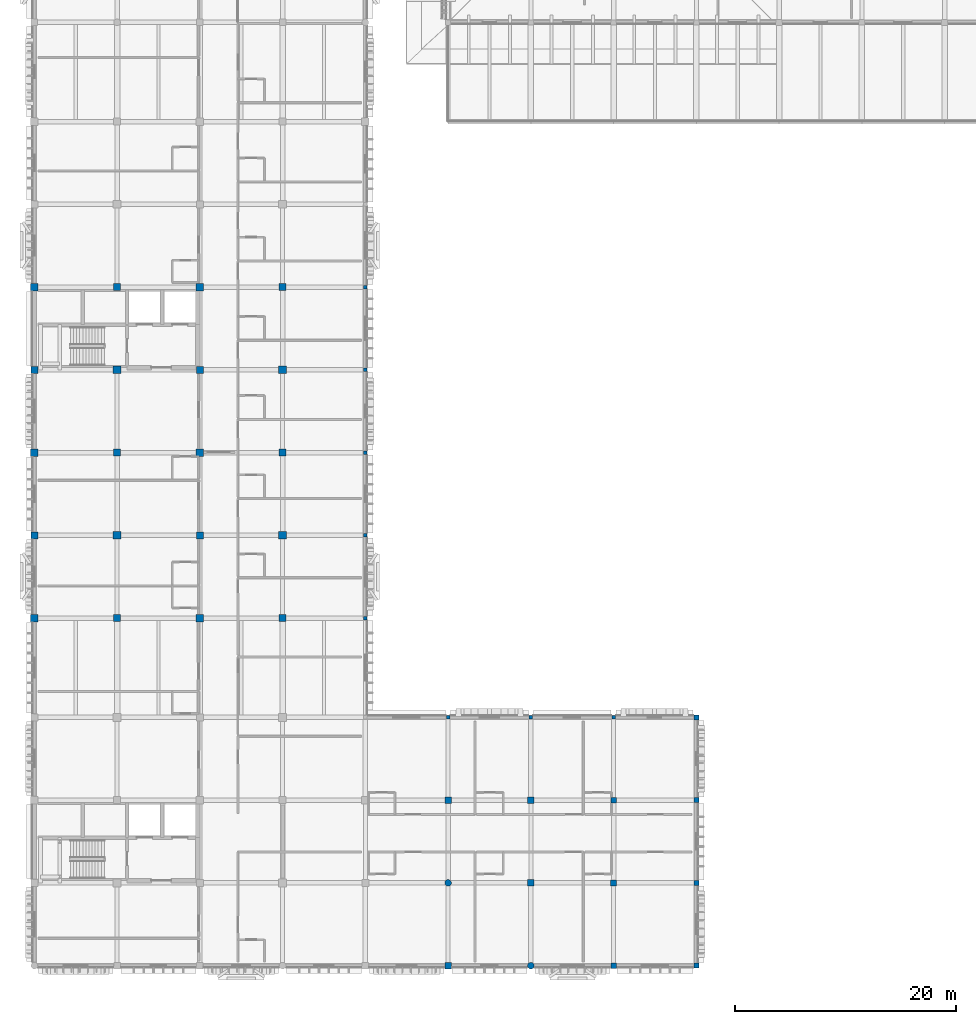
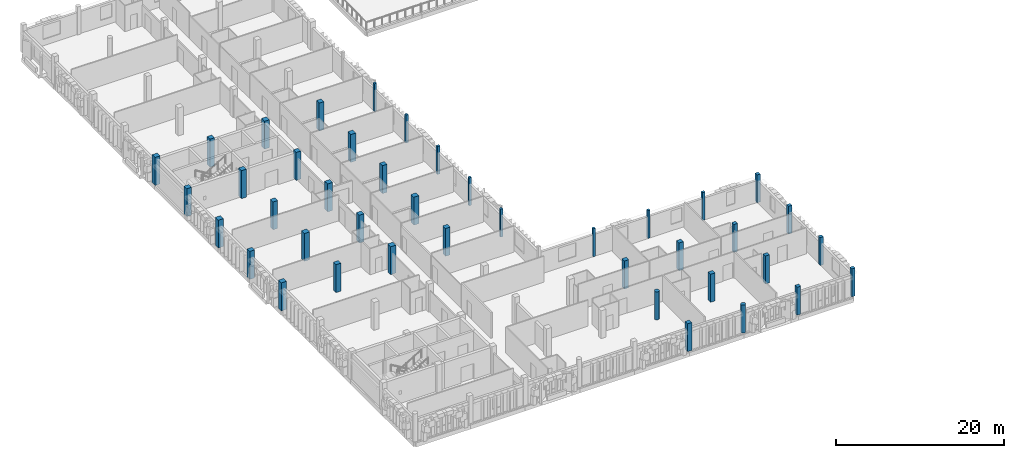
# One storey, part 2 of 48: 41 columns.
"""IFC4 building model written with IfcOpenShell, lengths in metres."""

from ifc_helpers import new_model, si_unit, direction, frame, origin, origin_2d, place, context, subcontext, project, spatial, rectangle, circle, extrude, material, material_profile, profile_set, type_object, element, save


model = new_model("IFC4")

# Units and contexts
model_context = context("Model", 3, precision=1e-05, world=origin(), true_north=direction((0.0, 1.0)))
body_context = subcontext(model_context, "Body", "Model", "MODEL_VIEW")
ifc_project = project(units=[si_unit("LENGTHUNIT", "METRE"), si_unit("AREAUNIT", "SQUARE_METRE"), si_unit("VOLUMEUNIT", "CUBIC_METRE"), si_unit("PLANEANGLEUNIT", "RADIAN"), si_unit("MASSUNIT", "GRAM", prefix="KILO")], contexts=[model_context])

# Site, building, storey
site_placement = place(None, origin())
site = spatial("IfcSite", under=ifc_project, at=site_placement, CompositionType="ELEMENT")
building_placement = place(site_placement, origin())
building = spatial("IfcBuilding", under=site, at=building_placement, Name="Dalvernix Boulevard General Hospital", CompositionType="ELEMENT")
storey_placement = place(building_placement, frame((0.0, 0.0, 17.85009765625)))
storey = spatial("IfcBuildingStorey", under=building, at=storey_placement, Name="L04", CompositionType="ELEMENT", Elevation=17.85009765625)

# Columns
ifc_material_1 = material(Name="Concrete C40/50", Category="concrete")
ifc_material_profile_1 = material_profile(ifc_material_1, rectangle(XDim=0.699951171875, YDim=0.699951171875, at=origin_2d()), Name="RC 700x700")
ifc_profile_set_1 = profile_set([ifc_material_profile_1], Name="Concrete C40/50")
column_type_1 = type_object("IfcColumnType", Name="COL-C-05-E", PredefinedType="COLUMN", material=ifc_profile_set_1)
for number, where, z_axis, x_axis, name in (
    (1, (0.0, 31.5, 0.0), (0.0, 0.0, 1.0), (1.0, 0.0, 0.0), "L04 column 1E"),
    (2, (0.0, 46.5, 0.0), (0.0, 0.0, 1.0), (1.0, 0.0, 0.0), "L04 column 1G"),
    (3, (0.0, 61.5, 0.0), (0.0, 0.0, 1.0), (1.0, 0.0, 0.0), "L04 column 1J"),
):
    element("IfcColumn", number, at=place(storey_placement, frame(where, z_axis=z_axis, x_axis=x_axis)), inside=storey, type_object=column_type_1, Name=name, PredefinedType="COLUMN", context=body_context, shape_type="SweptSolid", body=[
        extrude(rectangle(XDim=0.699951171875, YDim=0.699951171875, at=origin_2d()), origin(), (0.0, 0.0, 1.0), 4.0498046875),
    ])
ifc_material_profile_2 = material_profile(ifc_material_1, rectangle(XDim=0.699951171875, YDim=0.699951171875, at=origin_2d()), Name="RC 700x700")
ifc_profile_set_2 = profile_set([ifc_material_profile_2], Name="Concrete C40/50")
column_type_2 = type_object("IfcColumnType", Name="COL-C-05-I", PredefinedType="COLUMN", material=ifc_profile_set_2)
for number, where, z_axis, x_axis, name in (
    (4, (7.5, 39.0, 0.0), (0.0, 0.0, 1.0), (1.0, 0.0, 0.0), "L04 column 2F"),
    (5, (7.5, 54.0, 0.0), (0.0, 0.0, 1.0), (1.0, 0.0, 0.0), "L04 column 2H"),
    (6, (15.0, 31.5, 0.0), (0.0, 0.0, 1.0), (1.0, 0.0, 0.0), "L04 column 3E"),
    (7, (15.0, 46.5, 0.0), (0.0, 0.0, 1.0), (1.0, 0.0, 0.0), "L04 column 3G"),
    (8, (15.0, 61.5, 0.0), (0.0, 0.0, 1.0), (1.0, 0.0, 0.0), "L04 column 3J"),
    (9, (22.5, 39.0, 0.0), (0.0, 0.0, 1.0), (1.0, 0.0, 0.0), "L04 column 4F"),
    (10, (22.5, 54.0, 0.0), (0.0, 0.0, 1.0), (1.0, 0.0, 0.0), "L04 column 4H"),
):
    element("IfcColumn", number, at=place(storey_placement, frame(where, z_axis=z_axis, x_axis=x_axis)), inside=storey, type_object=column_type_2, Name=name, PredefinedType="COLUMN", context=body_context, shape_type="SweptSolid", body=[
        extrude(rectangle(XDim=0.699951171875, YDim=0.699951171875, at=origin_2d()), origin(), (0.0, 0.0, 1.0), 4.0498046875),
    ])
ifc_material_profile_3 = material_profile(ifc_material_1, rectangle(XDim=0.64990234375, YDim=0.64990234375, at=origin_2d()), Name="RC 650x650")
ifc_profile_set_3 = profile_set([ifc_material_profile_3], Name="Concrete C40/50")
column_type_3 = type_object("IfcColumnType", Name="COL-C-06-E", PredefinedType="COLUMN", material=ifc_profile_set_3)
for number, where, z_axis, x_axis, name in (
    (11, (0.0, 39.0, 0.0), (0.0, 0.0, 1.0), (1.0, 0.0, 0.0), "L04 column 1F"),
    (12, (0.0, 54.0, 0.0), (0.0, 0.0, 1.0), (1.0, 0.0, 0.0), "L04 column 1H"),
):
    element("IfcColumn", number, at=place(storey_placement, frame(where, z_axis=z_axis, x_axis=x_axis)), inside=storey, type_object=column_type_3, Name=name, PredefinedType="COLUMN", context=body_context, shape_type="SweptSolid", body=[
        extrude(rectangle(XDim=0.64990234375, YDim=0.64990234375, at=origin_2d()), origin(), (0.0, 0.0, 1.0), 4.0498046875),
    ])
ifc_material_profile_4 = material_profile(ifc_material_1, rectangle(XDim=0.64990234375, YDim=0.64990234375, at=origin_2d()), Name="RC 650x650")
ifc_profile_set_4 = profile_set([ifc_material_profile_4], Name="Concrete C40/50")
column_type_4 = type_object("IfcColumnType", Name="COL-C-06-I", PredefinedType="COLUMN", material=ifc_profile_set_4)
for number, where, z_axis, x_axis, name in (
    (13, (7.5, 31.5, 0.0), (0.0, 0.0, 1.0), (1.0, 0.0, 0.0), "L04 column 2E"),
    (14, (7.5, 46.5, 0.0), (0.0, 0.0, 1.0), (1.0, 0.0, 0.0), "L04 column 2G"),
    (15, (7.5, 61.5, 0.0), (0.0, 0.0, 1.0), (1.0, 0.0, 0.0), "L04 column 2J"),
    (16, (15.0, 39.0, 0.0), (0.0, 0.0, 1.0), (1.0, 0.0, 0.0), "L04 column 3F"),
    (17, (15.0, 54.0, 0.0), (0.0, 0.0, 1.0), (1.0, 0.0, 0.0), "L04 column 3H"),
    (18, (22.5, 31.5, 0.0), (0.0, 0.0, 1.0), (1.0, 0.0, 0.0), "L04 column 4E"),
    (19, (22.5, 46.5, 0.0), (0.0, 0.0, 1.0), (1.0, 0.0, 0.0), "L04 column 4G"),
    (20, (22.5, 61.5, 0.0), (0.0, 0.0, 1.0), (1.0, 0.0, 0.0), "L04 column 4J"),
):
    element("IfcColumn", number, at=place(storey_placement, frame(where, z_axis=z_axis, x_axis=x_axis)), inside=storey, type_object=column_type_4, Name=name, PredefinedType="COLUMN", context=body_context, shape_type="SweptSolid", body=[
        extrude(rectangle(XDim=0.64990234375, YDim=0.64990234375, at=origin_2d()), origin(), (0.0, 0.0, 1.0), 4.0498046875),
    ])
ifc_material_profile_5 = material_profile(ifc_material_1, rectangle(XDim=0.60009765625, YDim=0.60009765625, at=origin_2d()), Name="RC 600x600")
ifc_profile_set_5 = profile_set([ifc_material_profile_5], Name="Concrete C40/50")
column_type_5 = type_object("IfcColumnType", Name="COL-C-07-E", PredefinedType="COLUMN", material=ifc_profile_set_5)
column_1_placement = place(storey_placement, frame((37.5, 0.0, 0.0), z_axis=(0.0, 0.0, 1.0), x_axis=(1.0, 0.0, 0.0)))
element("IfcColumn", 21, at=column_1_placement, inside=storey, type_object=column_type_5, Name="L04 column 6A", PredefinedType="COLUMN", context=body_context, shape_type="SweptSolid", body=[
    extrude(rectangle(XDim=0.60009765625, YDim=0.60009765625, at=origin_2d()), origin(), (0.0, 0.0, 1.0), 4.0498046875),
])
ifc_material_profile_6 = material_profile(ifc_material_1, rectangle(XDim=0.60009765625, YDim=0.60009765625, at=origin_2d()), Name="RC 600x600")
ifc_profile_set_6 = profile_set([ifc_material_profile_6], Name="Concrete C40/50")
column_type_6 = type_object("IfcColumnType", Name="COL-C-07-I", PredefinedType="COLUMN", material=ifc_profile_set_6)
for number, where, z_axis, x_axis, name in (
    (22, (37.5, 15.0, 0.0), (0.0, 0.0, 1.0), (1.0, 0.0, 0.0), "L04 column 6C"),
    (23, (45.0, 7.5, 0.0), (0.0, 0.0, 1.0), (1.0, 0.0, 0.0), "L04 column 7B"),
    (24, (45.0, 15.0, 0.0), (0.0, 0.0, 1.0), (1.0, 0.0, 0.0), "L04 column 7C"),
):
    element("IfcColumn", number, at=place(storey_placement, frame(where, z_axis=z_axis, x_axis=x_axis)), inside=storey, type_object=column_type_6, Name=name, PredefinedType="COLUMN", context=body_context, shape_type="SweptSolid", body=[
        extrude(rectangle(XDim=0.60009765625, YDim=0.60009765625, at=origin_2d()), origin(), (0.0, 0.0, 1.0), 4.0498046875),
    ])
ifc_material_profile_7 = material_profile(ifc_material_1, rectangle(XDim=0.550048828125, YDim=0.550048828125, at=origin_2d()), Name="RC 550x550")
ifc_profile_set_7 = profile_set([ifc_material_profile_7], Name="Concrete C40/50")
column_type_7 = type_object("IfcColumnType", Name="COL-C-08-I", PredefinedType="COLUMN", material=ifc_profile_set_7)
column_2_placement = place(storey_placement, frame((52.5, 7.5, 0.0), z_axis=(0.0, 0.0, 1.0), x_axis=(1.0, 0.0, 0.0)))
element("IfcColumn", 25, at=column_2_placement, inside=storey, type_object=column_type_7, Name="L04 column 8B", PredefinedType="COLUMN", context=body_context, shape_type="SweptSolid", body=[
    extrude(rectangle(XDim=0.550048828125, YDim=0.550048828125, at=origin_2d()), origin(), (0.0, 0.0, 1.0), 4.0498046875),
])
ifc_material_profile_8 = material_profile(ifc_material_1, rectangle(XDim=0.5, YDim=0.5, at=origin_2d()), Name="RC 500x500")
ifc_profile_set_8 = profile_set([ifc_material_profile_8], Name="Concrete C40/50")
column_type_8 = type_object("IfcColumnType", Name="COL-C-09-E", PredefinedType="COLUMN", material=ifc_profile_set_8)
column_3_placement = place(storey_placement, frame((52.5, 0.0, 0.0), z_axis=(0.0, 0.0, 1.0), x_axis=(1.0, 0.0, 0.0)))
element("IfcColumn", 26, at=column_3_placement, inside=storey, type_object=column_type_8, Name="L04 column 8A", PredefinedType="COLUMN", context=body_context, shape_type="SweptSolid", body=[
    extrude(rectangle(XDim=0.5, YDim=0.5, at=origin_2d()), origin(), (0.0, 0.0, 1.0), 4.0498046875),
])
ifc_material_profile_9 = material_profile(ifc_material_1, rectangle(XDim=0.5, YDim=0.5, at=origin_2d()), Name="RC 500x500")
ifc_profile_set_9 = profile_set([ifc_material_profile_9], Name="Concrete C40/50")
column_type_9 = type_object("IfcColumnType", Name="COL-C-09-I", PredefinedType="COLUMN", material=ifc_profile_set_9)
column_4_placement = place(storey_placement, frame((52.5, 15.0, 0.0), z_axis=(0.0, 0.0, 1.0), x_axis=(1.0, 0.0, 0.0)))
element("IfcColumn", 27, at=column_4_placement, inside=storey, type_object=column_type_9, Name="L04 column 8C", PredefinedType="COLUMN", context=body_context, shape_type="SweptSolid", body=[
    extrude(rectangle(XDim=0.5, YDim=0.5, at=origin_2d()), origin(), (0.0, 0.0, 1.0), 4.0498046875),
])
ifc_material_profile_10 = material_profile(ifc_material_1, rectangle(XDim=0.449951171875, YDim=0.449951171875, at=origin_2d()), Name="RC 450x450")
ifc_profile_set_10 = profile_set([ifc_material_profile_10], Name="Concrete C40/50")
column_type_10 = type_object("IfcColumnType", Name="COL-C-10-E", PredefinedType="COLUMN", material=ifc_profile_set_10)
for number, where, z_axis, x_axis, name in (
    (28, (60.0, 0.0, 0.0), (0.0, 0.0, 1.0), (1.0, 0.0, 0.0), "L04 column 9A"),
    (29, (60.0, 7.5, 0.0), (0.0, 0.0, 1.0), (1.0, 0.0, 0.0), "L04 column 9B"),
    (30, (60.0, 15.0, 0.0), (0.0, 0.0, 1.0), (1.0, 0.0, 0.0), "L04 column 9C"),
    (31, (60.0, 22.5, 0.0), (0.0, 0.0, 1.0), (1.0, 0.0, 0.0), "L04 column 9D"),
):
    element("IfcColumn", number, at=place(storey_placement, frame(where, z_axis=z_axis, x_axis=x_axis)), inside=storey, type_object=column_type_10, Name=name, PredefinedType="COLUMN", context=body_context, shape_type="SweptSolid", body=[
        extrude(rectangle(XDim=0.449951171875, YDim=0.449951171875, at=origin_2d()), origin(), (0.0, 0.0, 1.0), 4.0498046875),
    ])
ifc_material_profile_11 = material_profile(ifc_material_1, circle(Radius=0.300048828125, at=origin_2d()), Name="RC D600")
ifc_profile_set_11 = profile_set([ifc_material_profile_11], Name="Concrete C40/50")
column_type_11 = type_object("IfcColumnType", Name="COL-C-15-E", PredefinedType="COLUMN", material=ifc_profile_set_11)
column_5_placement = place(storey_placement, frame((45.0, 0.0, 0.0), z_axis=(0.0, 0.0, 1.0), x_axis=(1.0, 0.0, 0.0)))
element("IfcColumn", 32, at=column_5_placement, inside=storey, type_object=column_type_11, Name="L04 column 7A", PredefinedType="COLUMN", context=body_context, shape_type="SweptSolid", body=[
    extrude(circle(Radius=0.300048828125, at=origin_2d()), origin(), (0.0, 0.0, 1.0), 4.0498046875),
])
ifc_material_profile_12 = material_profile(ifc_material_1, circle(Radius=0.300048828125, at=origin_2d()), Name="RC D600")
ifc_profile_set_12 = profile_set([ifc_material_profile_12], Name="Concrete C40/50")
column_type_12 = type_object("IfcColumnType", Name="COL-C-15-I", PredefinedType="COLUMN", material=ifc_profile_set_12)
column_6_placement = place(storey_placement, frame((37.5, 7.5, 0.0), z_axis=(0.0, 0.0, 1.0), x_axis=(1.0, 0.0, 0.0)))
element("IfcColumn", 33, at=column_6_placement, inside=storey, type_object=column_type_12, Name="L04 column 6B", PredefinedType="COLUMN", context=body_context, shape_type="SweptSolid", body=[
    extrude(circle(Radius=0.300048828125, at=origin_2d()), origin(), (0.0, 0.0, 1.0), 4.0498046875),
])
ifc_material_2 = material(Name="Glulam GL28h", Category="wood")
ifc_material_profile_13 = material_profile(ifc_material_2, rectangle(XDim=0.320068359375, YDim=0.320068359375, at=origin_2d()), Name="GL28h 320x320")
ifc_profile_set_13 = profile_set([ifc_material_profile_13], Name="Glulam GL28h")
column_type_13 = type_object("IfcColumnType", Name="COL-C-20-E", PredefinedType="COLUMN", material=ifc_profile_set_13)
for number, where, z_axis, x_axis, name in (
    (34, (30.0, 31.5, 0.0), (0.0, 0.0, 1.0), (1.0, 0.0, 0.0), "L04 column 5E"),
    (35, (30.0, 39.0, 0.0), (0.0, 0.0, 1.0), (1.0, 0.0, 0.0), "L04 column 5F"),
    (36, (30.0, 46.5, 0.0), (0.0, 0.0, 1.0), (1.0, 0.0, 0.0), "L04 column 5G"),
    (37, (30.0, 54.0, 0.0), (0.0, 0.0, 1.0), (1.0, 0.0, 0.0), "L04 column 5H"),
    (38, (30.0, 61.5, 0.0), (0.0, 0.0, 1.0), (1.0, 0.0, 0.0), "L04 column 5J"),
    (39, (37.5, 22.5, 0.0), (0.0, 0.0, 1.0), (1.0, 0.0, 0.0), "L04 column 6D"),
    (40, (45.0, 22.5, 0.0), (0.0, 0.0, 1.0), (1.0, 0.0, 0.0), "L04 column 7D"),
    (41, (52.5, 22.5, 0.0), (0.0, 0.0, 1.0), (1.0, 0.0, 0.0), "L04 column 8D"),
):
    element("IfcColumn", number, at=place(storey_placement, frame(where, z_axis=z_axis, x_axis=x_axis)), inside=storey, type_object=column_type_13, Name=name, PredefinedType="COLUMN", context=body_context, shape_type="SweptSolid", body=[
        extrude(rectangle(XDim=0.320068359375, YDim=0.320068359375, at=origin_2d()), origin(), (0.0, 0.0, 1.0), 4.0498046875),
    ])

save(model, "model.ifc")
